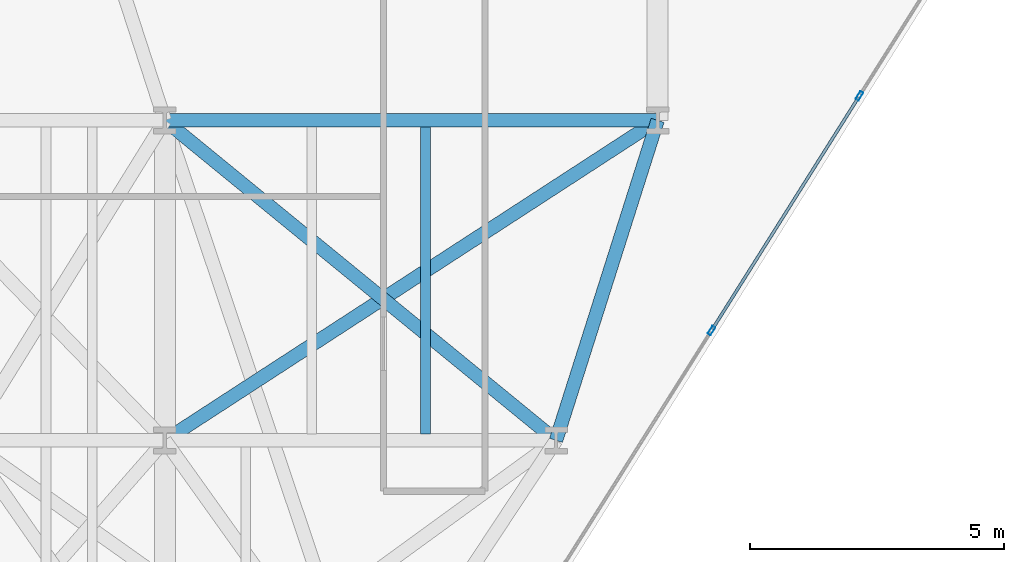
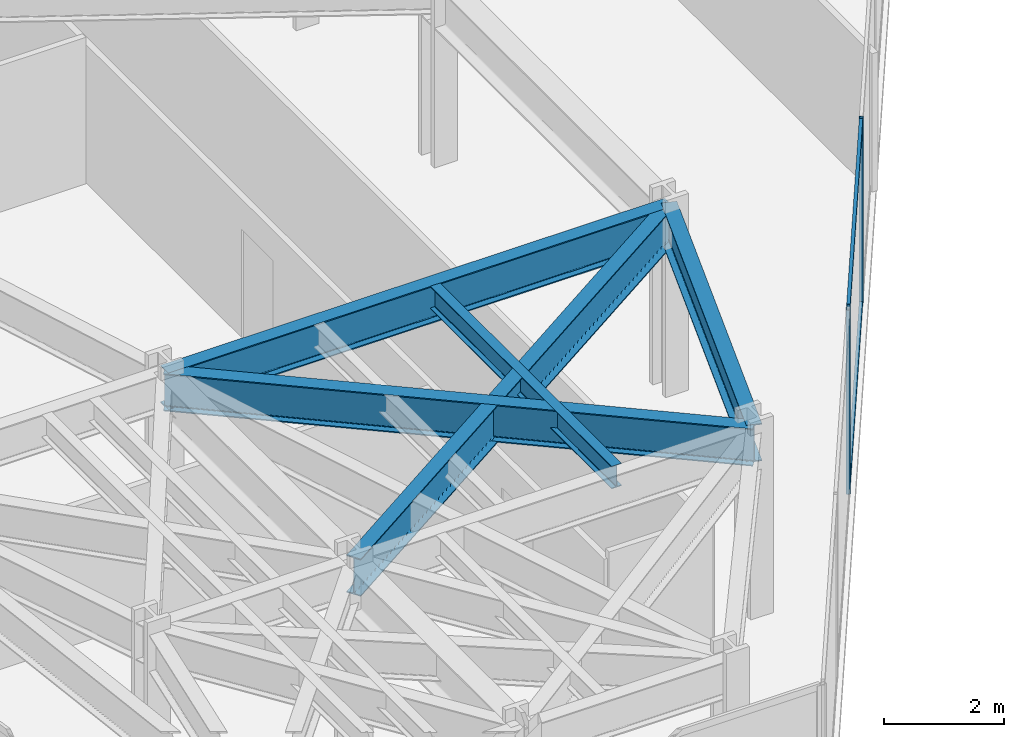
# One storey, part 6 of 24: 5 beams, 4 members, 1 element without a shape of its own.
"""IFC4 building model written with IfcOpenShell, lengths in metres."""

from ifc_helpers import new_model, si_unit, direction, frame, origin, origin_2d, place, context, subcontext, project, spatial, hollow_rectangle, i_section, extrude, material, layer, layer_set, material_profile, profile_set, type_object, element, aggregate, save


model = new_model("IFC4")

# Units and contexts
model_context = context("Model", 3, precision=1e-05, world=origin(), true_north=direction((0.0, 1.0)))
body_context = subcontext(model_context, "Body", "Model", "MODEL_VIEW")
ifc_project = project(units=[si_unit("LENGTHUNIT", "METRE"), si_unit("AREAUNIT", "SQUARE_METRE"), si_unit("VOLUMEUNIT", "CUBIC_METRE"), si_unit("PLANEANGLEUNIT", "RADIAN"), si_unit("MASSUNIT", "GRAM", prefix="KILO")], contexts=[model_context])

# Site, building, storey
site_placement = place(None, origin())
site = spatial("IfcSite", under=ifc_project, at=site_placement, CompositionType="ELEMENT")
building_placement = place(site_placement, origin())
building = spatial("IfcBuilding", under=site, at=building_placement, Name="Kravanh Interchange Tower", CompositionType="ELEMENT")
storey_placement = place(building_placement, frame((0.0, 0.0, 37.5)))
storey = spatial("IfcBuildingStorey", under=building, at=storey_placement, Name="L08", CompositionType="ELEMENT", Elevation=37.5)

# Curtain wall, members
ifc_material_1 = material(Name="Anodised Bronze Aluminium", Category="aluminium")
ifc_layer = layer(ifc_material_1, 0.179931640625)
ifc_layer_set = layer_set([ifc_layer], Name="Unitised Curtain Wall System CW-Z1 Lower Office")
curtain_wall_type = type_object("IfcCurtainWallType", Name="Unitised Curtain Wall System CW-Z1 Lower Office", PredefinedType="NOTDEFINED", material=ifc_layer_set)
curtain_wall_placement = place(storey_placement, origin())
curtain_wall = element("IfcCurtainWall", 1, at=curtain_wall_placement, inside=storey, type_object=curtain_wall_type, Name="L08 Unitised Curtain Wall CW-L08-05", PredefinedType="NOTDEFINED")
ifc_material_2 = material(Name="Anodised Bronze Aluminium", Category="aluminium")
ifc_material_profile_1 = material_profile(ifc_material_2, hollow_rectangle(XDim=0.070068359375, YDim=0.179931640625, WallThickness=0.00390625, at=origin_2d()), Name="ALU70X180X4")
ifc_profile_set_1 = profile_set([ifc_material_profile_1], Name="Anodised Bronze Aluminium")
member_type_1 = type_object("IfcMemberType", Name="Curtain Wall Mullion ALU70X180X4 Bronze", PredefinedType="MULLION", material=ifc_profile_set_1)
member_1_placement = place(storey_placement, frame((31.173583984375, 14.98291015625, 0.0), z_axis=(0.0, 0.0, 1.0), x_axis=(0.845925530786, -0.53330103728, 0.0)))
member_1 = element("IfcMember", 2, at=member_1_placement, type_object=member_type_1, Name="CW-Z1 mullion 3", PredefinedType="MULLION", context=body_context, shape_type="SweptSolid", body=[
    extrude(hollow_rectangle(XDim=0.070068359375, YDim=0.179931640625, WallThickness=0.00390625, at=origin_2d()), origin(), (0.0, 0.0, 1.0), 3.739990234375),
])
member_2_placement = place(storey_placement, frame((28.26025390625, 10.362060546875, 0.0), z_axis=(0.0, 0.0, 1.0), x_axis=(0.845925530786, -0.53330103728, 0.0)))
member_2 = element("IfcMember", 3, at=member_2_placement, type_object=member_type_1, Name="CW-Z1 mullion 4", PredefinedType="MULLION", context=body_context, shape_type="SweptSolid", body=[
    extrude(hollow_rectangle(XDim=0.070068359375, YDim=0.179931640625, WallThickness=0.00390625, at=origin_2d()), origin(), (0.0, 0.0, 1.0), 3.739990234375),
])
ifc_material_3 = material(Name="Anodised Bronze Aluminium", Category="aluminium")
ifc_material_profile_2 = material_profile(ifc_material_3, hollow_rectangle(XDim=0.06005859375, YDim=0.139892578125, WallThickness=0.00390625, at=origin_2d()), Name="ALU60X140X4")
ifc_profile_set_2 = profile_set([ifc_material_profile_2], Name="Anodised Bronze Aluminium")
member_type_2 = type_object("IfcMemberType", Name="Curtain Wall Transom ALU60X140X4 Bronze", PredefinedType="USERDEFINED", material=ifc_profile_set_2)
member_3_placement = place(storey_placement, frame((31.15478515625, 14.953369140625, 0.030029296875), z_axis=(-0.533279090152, -0.845939366626, 0.0), x_axis=(0.845939366626, -0.533279090152, 0.0)))
member_3 = element("IfcMember", 4, at=member_3_placement, type_object=member_type_2, Name="CW-Z1 transom 3.1", ObjectType="TRANSOM", PredefinedType="USERDEFINED", context=body_context, shape_type="SweptSolid", body=[
    extrude(hollow_rectangle(XDim=0.06005859375, YDim=0.139892578125, WallThickness=0.00390625, at=origin_2d()), origin(), (0.0, 0.0, 1.0), 5.392578125),
])
member_4_placement = place(storey_placement, frame((31.15478515625, 14.953369140625, 3.7099609375), z_axis=(-0.533279090152, -0.845939366626, 0.0), x_axis=(0.845939366626, -0.533279090152, 0.0)))
member_4 = element("IfcMember", 5, at=member_4_placement, type_object=member_type_2, Name="CW-Z1 transom 3.2", ObjectType="TRANSOM", PredefinedType="USERDEFINED", context=body_context, shape_type="SweptSolid", body=[
    extrude(hollow_rectangle(XDim=0.06005859375, YDim=0.139892578125, WallThickness=0.00390625, at=origin_2d()), origin(), (0.0, 0.0, 1.0), 5.392578125),
])
aggregate(curtain_wall, [member_1, member_2, member_3, member_4])

# Beams
ifc_material_4 = material(Name="Structural Steel S355", Category="steel")
ifc_material_profile_3 = material_profile(ifc_material_4, i_section(OverallWidth=0.18994140625, OverallDepth=0.45703125, WebThickness=0.009033203125, FlangeThickness=0.014404296875, FilletRadius=0.01806640625, at=origin_2d()), Name="W18X50")
ifc_profile_set_3 = profile_set([ifc_material_profile_3], Name="Structural Steel S355")
beam_type_1 = type_object("IfcBeamType", Name="Floor Joist W18X50 Structural Steel S355", PredefinedType="JOIST", material=ifc_profile_set_3)
beam_1_placement = place(storey_placement, frame((22.6298828125, 8.32861328125, 3.511474609375), z_axis=(0.0, 1.0, 0.0), x_axis=(-1.0, 0.0, 0.0)))
element("IfcBeam", 6, at=beam_1_placement, inside=storey, type_object=beam_type_1, Name="L08 Secondary Floor Joist 10", PredefinedType="JOIST", context=body_context, shape_type="SweptSolid", body=[
    extrude(i_section(OverallWidth=0.18994140625, OverallDepth=0.45703125, WebThickness=0.009033203125, FlangeThickness=0.014404296875, FilletRadius=0.01806640625, at=origin_2d()), origin(), (0.0, 0.0, 1.0), 6.04296875),
])
ifc_material_5 = material(Name="Structural Steel S355", Category="steel")
ifc_material_profile_4 = material_profile(ifc_material_5, i_section(OverallWidth=0.26708984375, OverallDepth=0.761962890625, WebThickness=0.014404296875, FlangeThickness=0.021484375, FilletRadius=0.02490234375, at=origin_2d()), Name="W30X116")
ifc_profile_set_4 = profile_set([ifc_material_profile_4], Name="Structural Steel S355")
beam_type_2 = type_object("IfcBeamType", Name="Floor Spandrel W30X116 Structural Steel S355", PredefinedType="SPANDREL", material=ifc_profile_set_4)
beam_2_placement = place(storey_placement, frame((17.5, 8.199951171875, 3.35888671875), z_axis=(0.838637911458, 0.544689318295, 0.0), x_axis=(-0.544689318295, 0.838637911458, 0.0)))
element("IfcBeam", 7, at=beam_2_placement, inside=storey, type_object=beam_type_2, Name="L08 Perimeter Spandrel 139", PredefinedType="SPANDREL", context=body_context, shape_type="SweptSolid", body=[
    extrude(i_section(OverallWidth=0.26708984375, OverallDepth=0.761962890625, WebThickness=0.014404296875, FlangeThickness=0.021484375, FilletRadius=0.02490234375, at=origin_2d()), origin(), (0.0, 0.0, 1.0), 11.56640625),
])
beam_3_placement = place(storey_placement, frame((25.199951171875, 8.199951171875, 3.35888671875), z_axis=(0.30257700201, 0.953124943465, 0.0), x_axis=(-0.953124943465, 0.30257700201, 0.0)))
element("IfcBeam", 8, at=beam_3_placement, inside=storey, type_object=beam_type_2, Name="L08 Perimeter Spandrel 140", PredefinedType="SPANDREL", context=body_context, shape_type="SweptSolid", body=[
    extrude(i_section(OverallWidth=0.26708984375, OverallDepth=0.761962890625, WebThickness=0.014404296875, FlangeThickness=0.021484375, FilletRadius=0.02490234375, at=origin_2d()), origin(), (0.0, 0.0, 1.0), 6.60986328125),
])
beam_4_placement = place(storey_placement, frame((25.199951171875, 8.199951171875, 3.35888671875), z_axis=(-0.773952925799, 0.633243135491, 0.0), x_axis=(-0.633243135491, -0.773952925799, 0.0)))
element("IfcBeam", 9, at=beam_4_placement, inside=storey, type_object=beam_type_2, Name="L08 Perimeter Spandrel 141", PredefinedType="SPANDREL", context=body_context, shape_type="SweptSolid", body=[
    extrude(i_section(OverallWidth=0.26708984375, OverallDepth=0.761962890625, WebThickness=0.014404296875, FlangeThickness=0.021484375, FilletRadius=0.02490234375, at=origin_2d()), origin(), (0.0, 0.0, 1.0), 9.948974609375),
])
beam_5_placement = place(storey_placement, frame((17.5, 14.5, 3.35888671875), z_axis=(1.0, 0.0, 0.0), x_axis=(0.0, 1.0, 0.0)))
element("IfcBeam", 10, at=beam_5_placement, inside=storey, type_object=beam_type_2, Name="L08 Perimeter Spandrel 144", PredefinedType="SPANDREL", context=body_context, shape_type="SweptSolid", body=[
    extrude(i_section(OverallWidth=0.26708984375, OverallDepth=0.761962890625, WebThickness=0.014404296875, FlangeThickness=0.021484375, FilletRadius=0.02490234375, at=origin_2d()), origin(), (0.0, 0.0, 1.0), 9.699951171875),
])

save(model, "model.ifc")
